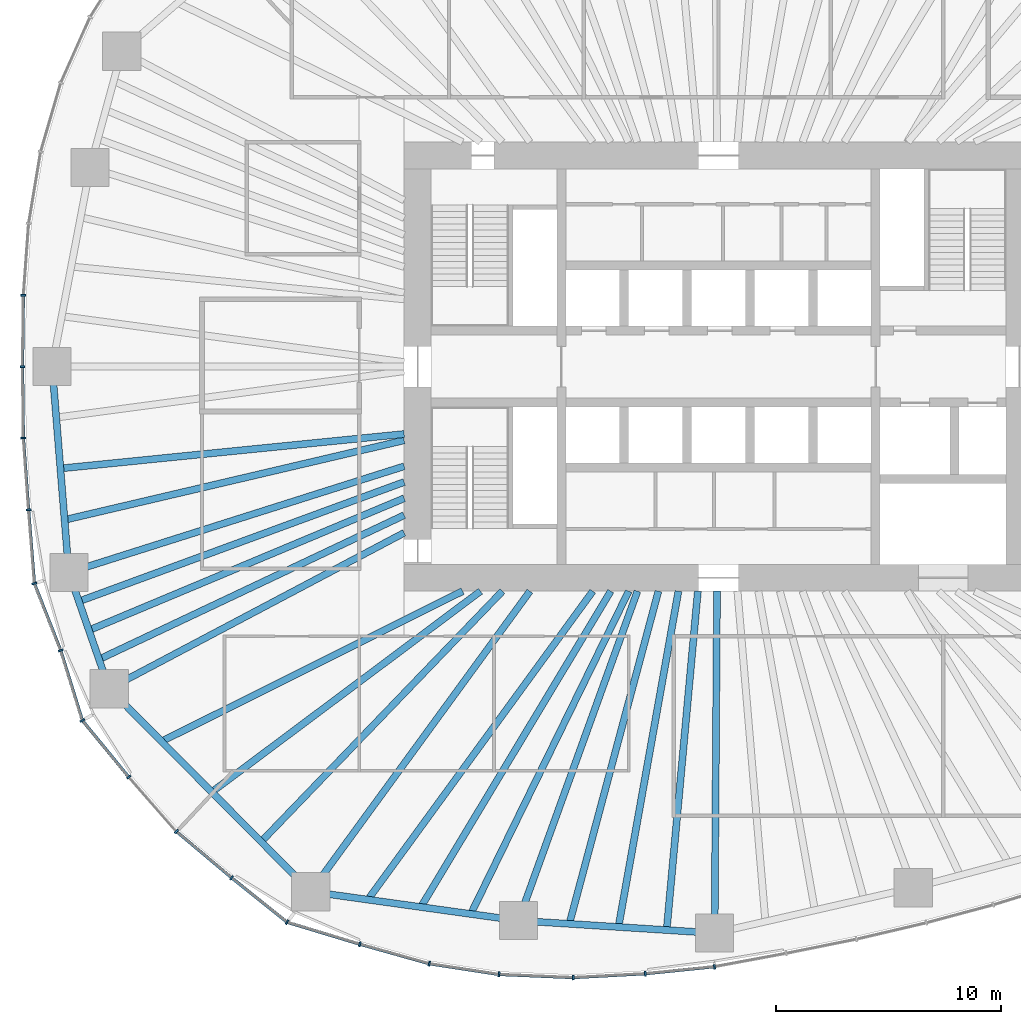
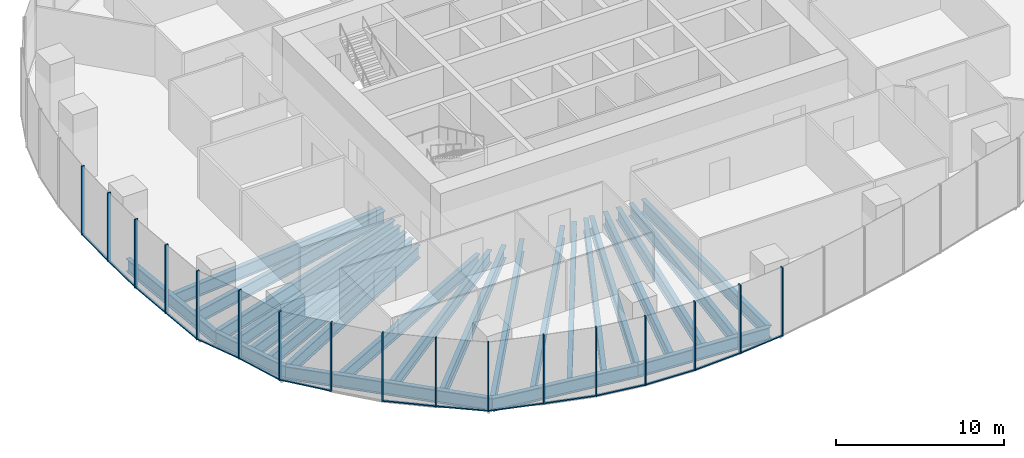
# One storey, part 2 of 20: 32 members, 24 beams, 7 elements without a shape of their own.
"""IFC4 building model written with IfcOpenShell, lengths in metres."""

import ifcopenshell
import ifcopenshell.guid

model = None  # the IFC model being written
_history = None  # IfcOwnerHistory: only IFC2X3 demands one
_inside = {}  # id of a spatial element -> (the spatial element, [elements in it])
_under = {}  # id of a project, library or spatial element -> (it, [spatial elements below it])
_declared = {}  # id of a project -> (the project, [libraries it declares])
_typed = {}  # id of a type object -> (the type object, [elements of that type])
_made_of = {}  # id of a material, layer set ... -> (it, [elements and type objects made of it])


def new_model(schema):
    """Start an empty IFC model of exactly this schema.

    Asked for "IFC4X3", IfcOpenShell would pick the latest addendum, in which some entities
    have other attributes; the version numbers below select the first issue.
    IFC2X3 requires an IfcOwnerHistory on every rooted entity: one is made here for all.
    """
    global model, _history
    if schema == "IFC4X3":
        model = ifcopenshell.file(schema_version=(4, 3, 0, 0))
    else:
        model = ifcopenshell.file(schema=schema)
    _inside.clear()
    _under.clear()
    _declared.clear()
    _typed.clear()
    _made_of.clear()
    _history = None
    if model.schema == "IFC2X3":
        org = make("IfcOrganization", Name="unknown")
        user = make(
            "IfcPersonAndOrganization",
            ThePerson=make("IfcPerson", FamilyName="unknown"),
            TheOrganization=org,
        )
        app = make(
            "IfcApplication",
            ApplicationDeveloper=org,
            Version="unknown",
            ApplicationFullName="unknown",
            ApplicationIdentifier="unknown",
        )
        _history = make(
            "IfcOwnerHistory",
            OwningUser=user,
            OwningApplication=app,
            ChangeAction="ADDED",
            CreationDate=0,
        )
    return model


def make(cls, **values):
    """One entity of the class cls with the attributes given. An attribute that is None is left unset."""
    return model.create_entity(
        cls, **{name: value for name, value in values.items() if value is not None}
    )


def rooted(cls, **values):
    """An entity with a GlobalId (a new one), such as an element, a storey or a relation."""
    return make(cls, GlobalId=ifcopenshell.guid.new(), OwnerHistory=_history, **values)


def si_unit(unit_type, name, prefix=None):
    """IfcSIUnit, for example si_unit("LENGTHUNIT", "METRE", prefix="MILLI")."""
    return make("IfcSIUnit", UnitType=unit_type, Prefix=prefix, Name=name)


def assignment(units):
    """IfcUnitAssignment: the units of a project."""
    return None if units is None else make("IfcUnitAssignment", Units=units)


def point(xyz):
    """IfcCartesianPoint."""
    return None if xyz is None else make("IfcCartesianPoint", Coordinates=xyz)


def direction(xyz):
    """IfcDirection."""
    return None if xyz is None else make("IfcDirection", DirectionRatios=xyz)


def frame(location, z_axis=None, x_axis=None):
    """IfcAxis2Placement3D, a coordinate frame: its origin and axes. An axis left out is left unset."""
    return make(
        "IfcAxis2Placement3D",
        Location=point(location),
        Axis=direction(z_axis),
        RefDirection=direction(x_axis),
    )


def frame_2d(location, x_axis=None):
    """IfcAxis2Placement2D, a coordinate frame in the plane: its origin and x axis."""
    return make(
        "IfcAxis2Placement2D", Location=point(location), RefDirection=direction(x_axis)
    )


def origin():
    """The frame at (0, 0, 0) with its axes left unset."""
    return frame((0.0, 0.0, 0.0))


def origin_2d():
    """The frame at (0, 0) in the plane with its x axis left unset."""
    return frame_2d((0.0, 0.0))


def place(relative_to, where):
    """IfcLocalPlacement: puts the frame where relative to a parent placement (None: the world)."""
    return make(
        "IfcLocalPlacement", PlacementRelTo=relative_to, RelativePlacement=where
    )


def context(
    kind, dimensions, precision=None, world=None, true_north=None, identifier=None
):
    """IfcGeometricRepresentationContext, for example the 3D "Model" context."""
    return make(
        "IfcGeometricRepresentationContext",
        ContextIdentifier=identifier,
        ContextType=kind,
        CoordinateSpaceDimension=dimensions,
        Precision=precision,
        WorldCoordinateSystem=world,
        TrueNorth=true_north,
    )


def subcontext(parent, identifier, kind, view, scale=None):
    """IfcGeometricRepresentationSubContext, for example "Body" below "Model"."""
    return make(
        "IfcGeometricRepresentationSubContext",
        ContextIdentifier=identifier,
        ContextType=kind,
        ParentContext=parent,
        TargetScale=scale,
        TargetView=view,
    )


def project(units=None, contexts=None):
    """IfcProject with its units and contexts."""
    return rooted(
        "IfcProject",
        Name="project",
        RepresentationContexts=contexts,
        UnitsInContext=assignment(units),
    )


def spatial(cls, under=None, at=None, **own):
    """A site, building, storey or space (cls), placed at a placement, below another one or the project."""
    s = rooted(cls, ObjectPlacement=at, **own)
    if under is not None:
        _under.setdefault(under.id(), (under, []))[1].append(s)
    return s


def profile(cls, at=None, kind="AREA", **sizes):
    """A parametric profile (cls). Its sizes go by their IFC names, for example OverallWidth=200.0."""
    return make(cls, ProfileType=kind, Position=at, **sizes)


def rectangle(**sizes):
    """IfcRectangleProfileDef."""
    return profile("IfcRectangleProfileDef", **sizes)


def i_section(**sizes):
    """IfcIShapeProfileDef."""
    return profile("IfcIShapeProfileDef", **sizes)


def extrude(swept, where, along, depth):
    """IfcExtrudedAreaSolid: the profile swept, set in the frame where, extruded along a direction by depth."""
    return make(
        "IfcExtrudedAreaSolid",
        SweptArea=swept,
        Position=where,
        ExtrudedDirection=direction(along),
        Depth=depth,
    )


def shape(context_of_items, identifier, shape_type, items):
    """IfcShapeRepresentation: the items that make up one representation, for example the "Body"."""
    return make(
        "IfcShapeRepresentation",
        ContextOfItems=context_of_items,
        RepresentationIdentifier=identifier,
        RepresentationType=shape_type,
        Items=items,
    )


def material(Name=None, Category=None):
    """IfcMaterial."""
    return make("IfcMaterial", Name=Name, Category=Category)


def material_profile(
    of_material, cross_section, Name=None, Category=None, Priority=None
):
    """IfcMaterialProfile: a cross section and its material."""
    return make(
        "IfcMaterialProfile",
        Name=Name,
        Material=of_material,
        Profile=cross_section,
        Priority=Priority,
        Category=Category,
    )


def profile_set(profiles, Name=None, composite=None):
    """IfcMaterialProfileSet."""
    return make(
        "IfcMaterialProfileSet",
        Name=Name,
        MaterialProfiles=profiles,
        CompositeProfile=composite,
    )


def made_of(thing, what):
    """Note that an element or type object is made of a material, layer set ...; save() writes the relation."""
    if what is not None:
        _made_of.setdefault(what.id(), (what, []))[1].append(thing)
    return thing


def type_object(cls, material=None, **own):
    """A type object (cls), such as IfcWallType, which elements share."""
    return made_of(rooted(cls, **own), material)


def element(
    cls,
    number,
    at=None,
    inside=None,
    cuts=None,
    type_object=None,
    material=None,
    context=None,
    identifier="Body",
    shape_type=None,
    held_by="IfcProductDefinitionShape",
    body=None,
    shapes=None,
    **own,
):
    """One element of the class cls, such as IfcWall. Its Tag is "e" and its number.

    at: its placement. inside: the storey or other place that contains it. cuts: it is an
    opening in that element (IfcRelVoidsElement). A single representation is given by context,
    identifier, shape_type and body (its items); several are given by shapes. held_by: the class
    of the entity that holds the representations. save() writes the other relations.
    """
    e = rooted(cls, Tag="e%d" % number, ObjectPlacement=at, **own)
    if body is not None:
        shapes = [shape(context, identifier, shape_type, body)]
    if shapes is not None:
        e.Representation = make(held_by, Representations=shapes)
    if inside is not None:
        _inside.setdefault(inside.id(), (inside, []))[1].append(e)
    if cuts is not None:
        rooted(
            "IfcRelVoidsElement", RelatingBuildingElement=cuts, RelatedOpeningElement=e
        )
    if type_object is not None:
        _typed.setdefault(type_object.id(), (type_object, []))[1].append(e)
    return made_of(e, material)


def aggregate(whole, parts):
    """IfcRelAggregates: a whole, such as a stair, and the parts it consists of."""
    return rooted("IfcRelAggregates", RelatingObject=whole, RelatedObjects=parts)


def save(model, path):
    """Write the relations noted so far, then the file.

    IfcRelAggregates (storeys below a building ...), IfcRelContainedInSpatialStructure (elements
    in a storey), IfcRelDefinesByType, IfcRelAssociatesMaterial and IfcRelDeclares: one each for
    every whole, place, type object, material and project.
    """
    for whole, parts in _under.values():
        aggregate(whole, parts)
    for where, things in _inside.values():
        rooted(
            "IfcRelContainedInSpatialStructure",
            RelatedElements=things,
            RelatingStructure=where,
        )
    for kind, things in _typed.values():
        rooted("IfcRelDefinesByType", RelatedObjects=things, RelatingType=kind)
    for what, things in _made_of.values():
        rooted("IfcRelAssociatesMaterial", RelatedObjects=things, RelatingMaterial=what)
    for by, libraries in _declared.values():
        rooted("IfcRelDeclares", RelatingContext=by, RelatedDefinitions=libraries)
    model.write(path)


model = new_model("IFC4")

# Units and contexts
model_context = context("Model", 3, precision=1e-05, world=origin(), true_north=direction((0.0, 1.0)))
body_context = subcontext(model_context, "Body", "Model", "MODEL_VIEW")
ifc_project = project(units=[si_unit("LENGTHUNIT", "METRE"), si_unit("AREAUNIT", "SQUARE_METRE"), si_unit("VOLUMEUNIT", "CUBIC_METRE"), si_unit("PLANEANGLEUNIT", "RADIAN"), si_unit("MASSUNIT", "GRAM", prefix="KILO")], contexts=[model_context])

# Site, building, storey
site_placement = place(None, origin())
site = spatial("IfcSite", under=ifc_project, at=site_placement, CompositionType="ELEMENT")
building_placement = place(site_placement, origin())
building = spatial("IfcBuilding", under=site, at=building_placement, Name="Ghaith Harvest Tower", CompositionType="ELEMENT")
storey_placement = place(building_placement, frame((0.0, 0.0, 90.0)))
storey = spatial("IfcBuildingStorey", under=building, at=storey_placement, Name="L18", CompositionType="ELEMENT", Elevation=90.0)

# Curtain wall, member
ifc_material_1 = material(Name="Black anodised aluminium and fritted glass", Category="aluminium")
curtain_wall_type = type_object("IfcCurtainWallType", Name="CW-F CURTAIN WALL", PredefinedType="NOTDEFINED", material=ifc_material_1)
curtain_wall_1_placement = place(storey_placement, origin())
curtain_wall_1 = element("IfcCurtainWall", 1, at=curtain_wall_1_placement, inside=storey, type_object=curtain_wall_type, Name="Curtain wall CW-F bay 10 L18", PredefinedType="NOTDEFINED")
ifc_material_2 = material(Name="Aluminium, black anodised", Category="aluminium")
ifc_material_profile_1 = material_profile(ifc_material_2, rectangle(XDim=0.080078125, YDim=0.219970703125, at=origin_2d()), Name="CW-F MULLION 80x220")
ifc_profile_set_1 = profile_set([ifc_material_profile_1], Name="Aluminium, black anodised")
member_type_1 = type_object("IfcMemberType", Name="CW-F MULLION 80x220", PredefinedType="MULLION", material=ifc_profile_set_1)
member_1_placement = place(storey_placement, frame((-30.95654296875, 3.177978515625, 0.0), z_axis=(0.0, 0.0, 1.0), x_axis=(-0.042427007767, -0.999099569118, 0.0)))
member_1 = element("IfcMember", 2, at=member_1_placement, type_object=member_type_1, Name="CW-F mullion 3 bay 10 L18", PredefinedType="MULLION", context=body_context, shape_type="SweptSolid", body=[
    extrude(rectangle(XDim=0.080078125, YDim=0.219970703125, at=origin_2d()), origin(), (0.0, 0.0, 1.0), 5.0),
])

# Curtain wall, members
curtain_wall_2_placement = place(storey_placement, origin())
curtain_wall_2 = element("IfcCurtainWall", 3, at=curtain_wall_2_placement, inside=storey, type_object=curtain_wall_type, Name="Curtain wall CW-F bay 11 L18", PredefinedType="NOTDEFINED")
member_2_placement = place(storey_placement, frame((-30.9951171875, 0.0, 0.0), z_axis=(0.0, 0.0, 1.0), x_axis=(1.4e-10, -1.0, 0.0)))
member_2 = element("IfcMember", 4, at=member_2_placement, type_object=member_type_1, Name="CW-F mullion 1 bay 11 L18", PredefinedType="MULLION", context=body_context, shape_type="SweptSolid", body=[
    extrude(rectangle(XDim=0.080078125, YDim=0.219970703125, at=origin_2d()), origin(), (0.0, 0.0, 1.0), 5.0),
])
member_3_placement = place(storey_placement, frame((-30.95654296875, -3.177978515625, 0.0), z_axis=(0.0, 0.0, 1.0), x_axis=(0.042427007872, -0.999099569114, 0.0)))
member_3 = element("IfcMember", 5, at=member_3_placement, type_object=member_type_1, Name="CW-F mullion 2 bay 11 L18", PredefinedType="MULLION", context=body_context, shape_type="SweptSolid", body=[
    extrude(rectangle(XDim=0.080078125, YDim=0.219970703125, at=origin_2d()), origin(), (0.0, 0.0, 1.0), 5.0),
])
member_4_placement = place(storey_placement, frame((-30.724365234375, -6.37548828125, 0.0), z_axis=(0.0, 0.0, 1.0), x_axis=(0.07568573288, -0.997131721408, 0.0)))
member_4 = element("IfcMember", 6, at=member_4_placement, type_object=member_type_1, Name="CW-F mullion 3 bay 11 L18", PredefinedType="MULLION", context=body_context, shape_type="SweptSolid", body=[
    extrude(rectangle(XDim=0.080078125, YDim=0.219970703125, at=origin_2d()), origin(), (0.0, 0.0, 1.0), 5.0),
])

curtain_wall_3_placement = place(storey_placement, origin())
curtain_wall_3 = element("IfcCurtainWall", 7, at=curtain_wall_3_placement, inside=storey, type_object=curtain_wall_type, Name="Curtain wall CW-F bay 12 L18", PredefinedType="NOTDEFINED")
member_5_placement = place(storey_placement, frame((-30.46484375, -9.65478515625, 0.0), z_axis=(0.0, 0.0, 1.0), x_axis=(0.222967363441, -0.974825910017, 0.0)))
member_5 = element("IfcMember", 8, at=member_5_placement, type_object=member_type_1, Name="CW-F mullion 1 bay 12 L18", PredefinedType="MULLION", context=body_context, shape_type="SweptSolid", body=[
    extrude(rectangle(XDim=0.080078125, YDim=0.219970703125, at=origin_2d()), origin(), (0.0, 0.0, 1.0), 5.0),
])
member_6_placement = place(storey_placement, frame((-29.29248046875, -12.63525390625, 0.0), z_axis=(0.0, 0.0, 1.0), x_axis=(0.330700518925, -0.943735750506, 0.0)))
member_6 = element("IfcMember", 9, at=member_6_placement, type_object=member_type_1, Name="CW-F mullion 2 bay 12 L18", PredefinedType="MULLION", context=body_context, shape_type="SweptSolid", body=[
    extrude(rectangle(XDim=0.080078125, YDim=0.219970703125, at=origin_2d()), origin(), (0.0, 0.0, 1.0), 5.0),
])
member_7_placement = place(storey_placement, frame((-28.3271484375, -15.7548828125, 0.0), z_axis=(0.0, 0.0, 1.0), x_axis=(0.473265082527, -0.880920065421, 0.0)))
member_7 = element("IfcMember", 10, at=member_7_placement, type_object=member_type_1, Name="CW-F mullion 3 bay 12 L18", PredefinedType="MULLION", context=body_context, shape_type="SweptSolid", body=[
    extrude(rectangle(XDim=0.080078125, YDim=0.219970703125, at=origin_2d()), origin(), (0.0, 0.0, 1.0), 5.0),
])

curtain_wall_4_placement = place(storey_placement, origin())
curtain_wall_4 = element("IfcCurtainWall", 11, at=curtain_wall_4_placement, inside=storey, type_object=curtain_wall_type, Name="Curtain wall CW-F bay 13 L18", PredefinedType="NOTDEFINED")
member_8_placement = place(storey_placement, frame((-26.26318359375, -18.274169921875, 0.0), z_axis=(0.0, 0.0, 1.0), x_axis=(0.646523538748, -0.762894038412, 0.0)))
member_8 = element("IfcMember", 12, at=member_8_placement, type_object=member_type_1, Name="CW-F mullion 1 bay 13 L18", PredefinedType="MULLION", context=body_context, shape_type="SweptSolid", body=[
    extrude(rectangle(XDim=0.080078125, YDim=0.219970703125, at=origin_2d()), origin(), (0.0, 0.0, 1.0), 5.0),
])
member_9_placement = place(storey_placement, frame((-24.139404296875, -20.696533203125, 0.0), z_axis=(0.0, 0.0, 1.0), x_axis=(0.714663248554, -0.699468684907, 0.0)))
member_9 = element("IfcMember", 13, at=member_9_placement, type_object=member_type_1, Name="CW-F mullion 2 bay 13 L18", PredefinedType="MULLION", context=body_context, shape_type="SweptSolid", body=[
    extrude(rectangle(XDim=0.080078125, YDim=0.219970703125, at=origin_2d()), origin(), (0.0, 0.0, 1.0), 5.0),
])
member_10_placement = place(storey_placement, frame((-21.681640625, -22.758056640625, 0.0), z_axis=(0.0, 0.0, 1.0), x_axis=(0.773138721505, -0.634236956751, 0.0)))
member_10 = element("IfcMember", 14, at=member_10_placement, type_object=member_type_1, Name="CW-F mullion 3 bay 13 L18", PredefinedType="MULLION", context=body_context, shape_type="SweptSolid", body=[
    extrude(rectangle(XDim=0.080078125, YDim=0.219970703125, at=origin_2d()), origin(), (0.0, 0.0, 1.0), 5.0),
])

curtain_wall_5_placement = place(storey_placement, origin())
curtain_wall_5 = element("IfcCurtainWall", 15, at=curtain_wall_5_placement, inside=storey, type_object=curtain_wall_type, Name="Curtain wall CW-F bay 14 L18", PredefinedType="NOTDEFINED")
member_11_placement = place(storey_placement, frame((-19.212646484375, -24.73828125, 0.0), z_axis=(0.0, 0.0, 1.0), x_axis=(0.887912253774, -0.460012858079, 0.0)))
member_11 = element("IfcMember", 16, at=member_11_placement, type_object=member_type_1, Name="CW-F mullion 1 bay 14 L18", PredefinedType="MULLION", context=body_context, shape_type="SweptSolid", body=[
    extrude(rectangle(XDim=0.080078125, YDim=0.219970703125, at=origin_2d()), origin(), (0.0, 0.0, 1.0), 5.0),
])
member_12_placement = place(storey_placement, frame((-15.97119140625, -25.716552734375, 0.0), z_axis=(0.0, 0.0, 1.0), x_axis=(0.960008876539, -0.279969564356, 0.0)))
member_12 = element("IfcMember", 17, at=member_12_placement, type_object=member_type_1, Name="CW-F mullion 2 bay 14 L18", PredefinedType="MULLION", context=body_context, shape_type="SweptSolid", body=[
    extrude(rectangle(XDim=0.080078125, YDim=0.219970703125, at=origin_2d()), origin(), (0.0, 0.0, 1.0), 5.0),
])
member_13_placement = place(storey_placement, frame((-12.880615234375, -26.5849609375, 0.0), z_axis=(0.0, 0.0, 1.0), x_axis=(0.977207016024, -0.212288595628, 0.0)))
member_13 = element("IfcMember", 18, at=member_13_placement, type_object=member_type_1, Name="CW-F mullion 3 bay 14 L18", PredefinedType="MULLION", context=body_context, shape_type="SweptSolid", body=[
    extrude(rectangle(XDim=0.080078125, YDim=0.219970703125, at=origin_2d()), origin(), (0.0, 0.0, 1.0), 5.0),
])

curtain_wall_6_placement = place(storey_placement, origin())
curtain_wall_6 = element("IfcCurtainWall", 19, at=curtain_wall_6_placement, inside=storey, type_object=curtain_wall_type, Name="Curtain wall CW-F bay 15 L18", PredefinedType="NOTDEFINED")
member_14_placement = place(storey_placement, frame((-9.7744140625, -27.062744140625, 0.0), z_axis=(0.0, 0.0, 1.0), x_axis=(0.995408459417, -0.095718331168, 0.0)))
member_14 = element("IfcMember", 20, at=member_14_placement, type_object=member_type_1, Name="CW-F mullion 1 bay 15 L18", PredefinedType="MULLION", context=body_context, shape_type="SweptSolid", body=[
    extrude(rectangle(XDim=0.080078125, YDim=0.219970703125, at=origin_2d()), origin(), (0.0, 0.0, 1.0), 5.0),
])
member_15_placement = place(storey_placement, frame((-6.465087890625, -27.20166015625, 0.0), z_axis=(0.0, 0.0, 1.0), x_axis=(0.999987206373, 0.005058368251, 0.0)))
member_15 = element("IfcMember", 21, at=member_15_placement, type_object=member_type_1, Name="CW-F mullion 2 bay 15 L18", PredefinedType="MULLION", context=body_context, shape_type="SweptSolid", body=[
    extrude(rectangle(XDim=0.080078125, YDim=0.219970703125, at=origin_2d()), origin(), (0.0, 0.0, 1.0), 5.0),
])
member_16_placement = place(storey_placement, frame((-3.261962890625, -27.02978515625, 0.0), z_axis=(0.0, 0.0, 1.0), x_axis=(0.997037536276, 0.07691652135, 0.0)))
member_16 = element("IfcMember", 22, at=member_16_placement, type_object=member_type_1, Name="CW-F mullion 3 bay 15 L18", PredefinedType="MULLION", context=body_context, shape_type="SweptSolid", body=[
    extrude(rectangle(XDim=0.080078125, YDim=0.219970703125, at=origin_2d()), origin(), (0.0, 0.0, 1.0), 5.0),
])

# Curtain wall, member
curtain_wall_7_placement = place(storey_placement, origin())
curtain_wall_7 = element("IfcCurtainWall", 23, at=curtain_wall_7_placement, inside=storey, type_object=curtain_wall_type, Name="Curtain wall CW-F bay 16 L18", PredefinedType="NOTDEFINED")
member_17_placement = place(storey_placement, frame((-0.182861328125, -26.717041015625, 0.0), z_axis=(0.0, 0.0, 1.0), x_axis=(0.98971187144, 0.143074845907, 0.0)))
member_17 = element("IfcMember", 24, at=member_17_placement, type_object=member_type_1, Name="CW-F mullion 1 bay 16 L18", PredefinedType="MULLION", context=body_context, shape_type="SweptSolid", body=[
    extrude(rectangle(XDim=0.080078125, YDim=0.219970703125, at=origin_2d()), origin(), (0.0, 0.0, 1.0), 5.0),
])
aggregate(curtain_wall_7, [member_17])

# Member
ifc_material_3 = material(Name="Aluminium, black anodised", Category="aluminium")
ifc_material_profile_2 = material_profile(ifc_material_3, rectangle(XDim=0.139892578125, YDim=0.080078125, at=origin_2d()), Name="CW-F TRANSOM 140x80")
ifc_profile_set_2 = profile_set([ifc_material_profile_2], Name="Aluminium, black anodised")
member_type_2 = type_object("IfcMemberType", Name="CW-F TRANSOM 140x80", PredefinedType="USERDEFINED", material=ifc_profile_set_2)
member_18_placement = place(storey_placement, frame((-30.95703125, 3.137939453125, 0.0400390625), z_axis=(-0.012135602457, -0.999926360865, 0.0), x_axis=(0.999926360865, -0.012135602457, 0.0)))
member_18 = element("IfcMember", 25, at=member_18_placement, type_object=member_type_2, Name="CW-F transom 3 bay 10 L18", ObjectType="TRANSOM", PredefinedType="USERDEFINED", context=body_context, shape_type="SweptSolid", body=[
    extrude(rectangle(XDim=0.139892578125, YDim=0.080078125, at=origin_2d()), origin(), (0.0, 0.0, 1.0), 3.09814453125),
])

aggregate(curtain_wall_1, [member_1, member_18])

member_19_placement = place(storey_placement, frame((-30.99462890625, -0.0400390625, 0.0400390625), z_axis=(0.012135602457, -0.999926360865, 0.0), x_axis=(0.999926360865, 0.012135602457, 0.0)))
member_19 = element("IfcMember", 26, at=member_19_placement, type_object=member_type_2, Name="CW-F transom 1 bay 11 L18", ObjectType="TRANSOM", PredefinedType="USERDEFINED", context=body_context, shape_type="SweptSolid", body=[
    extrude(rectangle(XDim=0.139892578125, YDim=0.080078125, at=origin_2d()), origin(), (0.0, 0.0, 1.0), 3.09814453125),
])

member_20_placement = place(storey_placement, frame((-30.95361328125, -3.2177734375, 0.0400390625), z_axis=(0.072473547161, -0.997370334912, 0.0), x_axis=(0.997370334912, 0.072473547161, 0.0)))
member_20 = element("IfcMember", 27, at=member_20_placement, type_object=member_type_2, Name="CW-F transom 2 bay 11 L18", ObjectType="TRANSOM", PredefinedType="USERDEFINED", context=body_context, shape_type="SweptSolid", body=[
    extrude(rectangle(XDim=0.139892578125, YDim=0.080078125, at=origin_2d()), origin(), (0.0, 0.0, 1.0), 3.126220703125),
])

member_21_placement = place(storey_placement, frame((-30.72119140625, -6.415283203125, 0.0400390625), z_axis=(0.078877539502, -0.996884313129, 0.0), x_axis=(0.996884313129, 0.078877539502, 0.0)))
member_21 = element("IfcMember", 28, at=member_21_placement, type_object=member_type_2, Name="CW-F transom 3 bay 11 L18", ObjectType="TRANSOM", PredefinedType="USERDEFINED", context=body_context, shape_type="SweptSolid", body=[
    extrude(rectangle(XDim=0.139892578125, YDim=0.080078125, at=origin_2d()), origin(), (0.0, 0.0, 1.0), 3.209716796875),
])

aggregate(curtain_wall_2, [member_2, member_19, member_3, member_20, member_4, member_21])

member_22_placement = place(storey_placement, frame((-30.4501953125, -9.692138671875, 0.0400390625), z_axis=(0.366046617161, -0.93059651518, 0.0), x_axis=(0.93059651518, 0.366046617161, 0.0)))
member_22 = element("IfcMember", 29, at=member_22_placement, type_object=member_type_2, Name="CW-F transom 1 bay 12 L18", ObjectType="TRANSOM", PredefinedType="USERDEFINED", context=body_context, shape_type="SweptSolid", body=[
    extrude(rectangle(XDim=0.139892578125, YDim=0.080078125, at=origin_2d()), origin(), (0.0, 0.0, 1.0), 3.122802734375),
])

member_23_placement = place(storey_placement, frame((-29.28076171875, -12.673583984375, 0.0400390625), z_axis=(0.295598800908, -0.955312173534, 0.0), x_axis=(0.955312173534, 0.295598800908, 0.0)))
member_23 = element("IfcMember", 30, at=member_23_placement, type_object=member_type_2, Name="CW-F transom 2 bay 12 L18", ObjectType="TRANSOM", PredefinedType="USERDEFINED", context=body_context, shape_type="SweptSolid", body=[
    extrude(rectangle(XDim=0.139892578125, YDim=0.080078125, at=origin_2d()), origin(), (0.0, 0.0, 1.0), 3.185546875),
])

member_24_placement = place(storey_placement, frame((-28.302001953125, -15.785888671875, 0.0400390625), z_axis=(0.633790042943, -0.773505126982, 0.0), x_axis=(0.773505126982, 0.633790042943, 0.0)))
member_24 = element("IfcMember", 31, at=member_24_placement, type_object=member_type_2, Name="CW-F transom 3 bay 12 L18", ObjectType="TRANSOM", PredefinedType="USERDEFINED", context=body_context, shape_type="SweptSolid", body=[
    extrude(rectangle(XDim=0.139892578125, YDim=0.080078125, at=origin_2d()), origin(), (0.0, 0.0, 1.0), 3.1767578125),
])

aggregate(curtain_wall_3, [member_5, member_22, member_6, member_23, member_7, member_24])

member_25_placement = place(storey_placement, frame((-24.10888671875, -20.72216796875, 0.0400390625), z_axis=(0.766144434184, -0.642668426149, 0.0), x_axis=(0.642668426149, 0.766144434184, 0.0)))
member_25 = element("IfcMember", 32, at=member_25_placement, type_object=member_type_2, Name="CW-F transom 2 bay 13 L18", ObjectType="TRANSOM", PredefinedType="USERDEFINED", context=body_context, shape_type="SweptSolid", body=[
    extrude(rectangle(XDim=0.139892578125, YDim=0.080078125, at=origin_2d()), origin(), (0.0, 0.0, 1.0), 3.1279296875),
])

member_26_placement = place(storey_placement, frame((-21.650634765625, -22.783203125, 0.0400390625), z_axis=(0.780181223133, -0.625553562112, 0.0), x_axis=(0.625553562112, 0.780181223133, 0.0)))
member_26 = element("IfcMember", 33, at=member_26_placement, type_object=member_type_2, Name="CW-F transom 3 bay 13 L18", ObjectType="TRANSOM", PredefinedType="USERDEFINED", context=body_context, shape_type="SweptSolid", body=[
    extrude(rectangle(XDim=0.139892578125, YDim=0.080078125, at=origin_2d()), origin(), (0.0, 0.0, 1.0), 3.085205078125),
])

aggregate(curtain_wall_4, [member_8, member_9, member_25, member_10, member_26])

member_27_placement = place(storey_placement, frame((-19.17431640625, -24.749755859375, 0.0400390625), z_axis=(0.957335035376, -0.288980328121, 0.0), x_axis=(0.288980328121, 0.957335035376, 0.0)))
member_27 = element("IfcMember", 34, at=member_27_placement, type_object=member_type_2, Name="CW-F transom 1 bay 14 L18", ObjectType="TRANSOM", PredefinedType="USERDEFINED", context=body_context, shape_type="SweptSolid", body=[
    extrude(rectangle(XDim=0.139892578125, YDim=0.080078125, at=origin_2d()), origin(), (0.0, 0.0, 1.0), 3.305908203125),
])

member_28_placement = place(storey_placement, frame((-15.9326171875, -25.727294921875, 0.0400390625), z_axis=(0.962727128991, -0.270474536888, 0.0), x_axis=(0.270474536888, 0.962727128991, 0.0)))
member_28 = element("IfcMember", 35, at=member_28_placement, type_object=member_type_2, Name="CW-F transom 2 bay 14 L18", ObjectType="TRANSOM", PredefinedType="USERDEFINED", context=body_context, shape_type="SweptSolid", body=[
    extrude(rectangle(XDim=0.139892578125, YDim=0.080078125, at=origin_2d()), origin(), (0.0, 0.0, 1.0), 3.13037109375),
])

member_29_placement = place(storey_placement, frame((-12.841064453125, -26.591064453125, 0.0400390625), z_axis=(0.988378147633, -0.152015253451, 0.0), x_axis=(0.152015253451, 0.988378147633, 0.0)))
member_29 = element("IfcMember", 36, at=member_29_placement, type_object=member_type_2, Name="CW-F transom 3 bay 14 L18", ObjectType="TRANSOM", PredefinedType="USERDEFINED", context=body_context, shape_type="SweptSolid", body=[
    extrude(rectangle(XDim=0.139892578125, YDim=0.080078125, at=origin_2d()), origin(), (0.0, 0.0, 1.0), 3.062744140625),
])

aggregate(curtain_wall_5, [member_11, member_27, member_12, member_28, member_13, member_29])

member_30_placement = place(storey_placement, frame((-9.734375, -27.064453125, 0.0400390625), z_axis=(0.999117688764, -0.04199814281, 0.0), x_axis=(0.04199814281, 0.999117688764, 0.0)))
member_30 = element("IfcMember", 37, at=member_30_placement, type_object=member_type_2, Name="CW-F transom 1 bay 15 L18", ObjectType="TRANSOM", PredefinedType="USERDEFINED", context=body_context, shape_type="SweptSolid", body=[
    extrude(rectangle(XDim=0.139892578125, YDim=0.080078125, at=origin_2d()), origin(), (0.0, 0.0, 1.0), 3.232177734375),
])

member_31_placement = place(storey_placement, frame((-6.42529296875, -27.19970703125, 0.0400390625), z_axis=(0.99856142387, 0.053619798202, 0.0), x_axis=(-0.053619798202, 0.99856142387, 0.0)))
member_31 = element("IfcMember", 38, at=member_31_placement, type_object=member_type_2, Name="CW-F transom 2 bay 15 L18", ObjectType="TRANSOM", PredefinedType="USERDEFINED", context=body_context, shape_type="SweptSolid", body=[
    extrude(rectangle(XDim=0.139892578125, YDim=0.080078125, at=origin_2d()), origin(), (0.0, 0.0, 1.0), 3.1279296875),
])

member_32_placement = place(storey_placement, frame((-3.22216796875, -27.02587890625, 0.0400390625), z_axis=(0.994880435036, 0.101058992587, 0.0), x_axis=(-0.101058992587, 0.994880435036, 0.0)))
member_32 = element("IfcMember", 39, at=member_32_placement, type_object=member_type_2, Name="CW-F transom 3 bay 15 L18", ObjectType="TRANSOM", PredefinedType="USERDEFINED", context=body_context, shape_type="SweptSolid", body=[
    extrude(rectangle(XDim=0.139892578125, YDim=0.080078125, at=origin_2d()), origin(), (0.0, 0.0, 1.0), 3.014892578125),
])

aggregate(curtain_wall_6, [member_14, member_30, member_15, member_31, member_16, member_32])

# Beams
ifc_material_4 = material(Name="Steel ASTM A992 Grade 50", Category="steel")
ifc_material_profile_3 = material_profile(ifc_material_4, i_section(OverallWidth=0.306884765625, OverallDepth=0.94189453125, WebThickness=0.022216796875, FlangeThickness=0.039794921875, at=origin_2d()), Name="W920X345")
ifc_profile_set_3 = profile_set([ifc_material_profile_3], Name="Steel ASTM A992 Grade 50")
beam_type_1 = type_object("IfcBeamType", Name="E920-345 W920X345", PredefinedType="SPANDREL", material=ifc_profile_set_3)
beam_1_placement = place(storey_placement, frame((-29.675048828125, 0.0, -0.6708984375), z_axis=(0.081006863421, -0.996713543642, 0.0), x_axis=(0.996713543642, 0.081006863421, 0.0)))
element("IfcBeam", 40, at=beam_1_placement, inside=storey, type_object=beam_type_1, Name="Edge beam E11 L18", PredefinedType="SPANDREL", context=body_context, shape_type="SweptSolid", body=[
    extrude(i_section(OverallWidth=0.306884765625, OverallDepth=0.94189453125, WebThickness=0.022216796875, FlangeThickness=0.039794921875, at=origin_2d()), origin(), (0.0, 0.0, 1.0), 9.1982421875),
])
beam_2_placement = place(storey_placement, frame((-28.929931640625, -9.16796875, -0.6708984375), z_axis=(0.328278550319, -0.944580961803, 0.0), x_axis=(0.944580961803, 0.328278550319, 0.0)))
element("IfcBeam", 41, at=beam_2_placement, inside=storey, type_object=beam_type_1, Name="Edge beam E12 L18", PredefinedType="SPANDREL", context=body_context, shape_type="SweptSolid", body=[
    extrude(i_section(OverallWidth=0.306884765625, OverallDepth=0.94189453125, WebThickness=0.022216796875, FlangeThickness=0.039794921875, at=origin_2d()), origin(), (0.0, 0.0, 1.0), 5.4765625),
])
beam_3_placement = place(storey_placement, frame((-27.132080078125, -14.341064453125, -0.6708984375), z_axis=(0.704562513714, -0.709641926798, 0.0), x_axis=(0.709641926798, 0.704562513714, 0.0)))
element("IfcBeam", 42, at=beam_3_placement, inside=storey, type_object=beam_type_1, Name="Edge beam E13 L18", PredefinedType="SPANDREL", context=body_context, shape_type="SweptSolid", body=[
    extrude(i_section(OverallWidth=0.306884765625, OverallDepth=0.94189453125, WebThickness=0.022216796875, FlangeThickness=0.039794921875, at=origin_2d()), origin(), (0.0, 0.0, 1.0), 12.737060546875),
])
beam_4_placement = place(storey_placement, frame((-18.157958984375, -23.3798828125, -0.6708984375), z_axis=(0.990441143901, -0.137936001352, 0.0), x_axis=(0.137936001352, 0.990441143901, 0.0)))
element("IfcBeam", 43, at=beam_4_placement, inside=storey, type_object=beam_type_1, Name="Edge beam E14 L18", PredefinedType="SPANDREL", context=body_context, shape_type="SweptSolid", body=[
    extrude(i_section(OverallWidth=0.306884765625, OverallDepth=0.94189453125, WebThickness=0.022216796875, FlangeThickness=0.039794921875, at=origin_2d()), origin(), (0.0, 0.0, 1.0), 9.33837890625),
])
beam_5_placement = place(storey_placement, frame((-8.908935546875, -24.66796875, -0.6708984375), z_axis=(0.99797963184, -0.063534671101, 0.0), x_axis=(0.063534671101, 0.99797963184, 0.0)))
element("IfcBeam", 44, at=beam_5_placement, inside=storey, type_object=beam_type_1, Name="Edge beam E15 L18", PredefinedType="SPANDREL", context=body_context, shape_type="SweptSolid", body=[
    extrude(i_section(OverallWidth=0.306884765625, OverallDepth=0.94189453125, WebThickness=0.022216796875, FlangeThickness=0.039794921875, at=origin_2d()), origin(), (0.0, 0.0, 1.0), 8.75341796875),
])
ifc_material_5 = material(Name="Steel ASTM A992 Grade 50", Category="steel")
ifc_material_profile_4 = material_profile(ifc_material_5, i_section(OverallWidth=0.306884765625, OverallDepth=0.94189453125, WebThickness=0.022216796875, FlangeThickness=0.039794921875, at=origin_2d()), Name="W920X345")
ifc_profile_set_4 = profile_set([ifc_material_profile_4], Name="Steel ASTM A992 Grade 50")
beam_type_2 = type_object("IfcBeamType", Name="G920-345 W920X345", PredefinedType="BEAM", material=ifc_profile_set_4)
beam_6_placement = place(storey_placement, frame((-14.0, -4.43701171875, -0.6708984375), z_axis=(-0.953284407194, -0.302074227636, 0.0), x_axis=(0.302074227636, -0.953284407194, 0.0)))
element("IfcBeam", 45, at=beam_6_placement, inside=storey, type_object=beam_type_2, Name="Radial girder G12 L18", PredefinedType="BEAM", context=body_context, shape_type="SweptSolid", body=[
    extrude(i_section(OverallWidth=0.306884765625, OverallDepth=0.94189453125, WebThickness=0.022216796875, FlangeThickness=0.039794921875, at=origin_2d()), origin(), (0.0, 0.0, 1.0), 15.66162109375),
])
beam_7_placement = place(storey_placement, frame((-14.0, -7.39990234375, -0.6708984375), z_axis=(-0.884097171481, -0.467303104397, 0.0), x_axis=(0.467303104397, -0.884097171481, 0.0)))
element("IfcBeam", 46, at=beam_7_placement, inside=storey, type_object=beam_type_2, Name="Radial girder G13 L18", PredefinedType="BEAM", context=body_context, shape_type="SweptSolid", body=[
    extrude(i_section(OverallWidth=0.306884765625, OverallDepth=0.94189453125, WebThickness=0.022216796875, FlangeThickness=0.039794921875, at=origin_2d()), origin(), (0.0, 0.0, 1.0), 14.853759765625),
])
beam_8_placement = place(storey_placement, frame((-8.39990234375, -10.0, -0.6708984375), z_axis=(-0.589246749374, -0.807953134997, 0.0), x_axis=(0.807953134997, -0.589246749374, 0.0)))
element("IfcBeam", 47, at=beam_8_placement, inside=storey, type_object=beam_type_2, Name="Radial girder G14 L18", PredefinedType="BEAM", context=body_context, shape_type="SweptSolid", body=[
    extrude(i_section(OverallWidth=0.306884765625, OverallDepth=0.94189453125, WebThickness=0.022216796875, FlangeThickness=0.039794921875, at=origin_2d()), origin(), (0.0, 0.0, 1.0), 16.560302734375),
])
beam_9_placement = place(storey_placement, frame((-3.61181640625, -10.0, -0.6708984375), z_axis=(-0.339664467784, -0.940546675782, 0.0), x_axis=(0.940546675782, -0.339664467784, 0.0)))
element("IfcBeam", 48, at=beam_9_placement, inside=storey, type_object=beam_type_2, Name="Radial girder G15 L18", PredefinedType="BEAM", context=body_context, shape_type="SweptSolid", body=[
    extrude(i_section(OverallWidth=0.306884765625, OverallDepth=0.94189453125, WebThickness=0.022216796875, FlangeThickness=0.039794921875, at=origin_2d()), origin(), (0.0, 0.0, 1.0), 15.59521484375),
])
beam_10_placement = place(storey_placement, frame((-0.068359375, -10.0, -0.6708984375), z_axis=(-0.006879467722, -0.999976336182, 0.0), x_axis=(0.999976336182, -0.006879467722, 0.0)))
element("IfcBeam", 49, at=beam_10_placement, inside=storey, type_object=beam_type_2, Name="Radial girder G16 L18", PredefinedType="BEAM", context=body_context, shape_type="SweptSolid", body=[
    extrude(i_section(OverallWidth=0.306884765625, OverallDepth=0.94189453125, WebThickness=0.022216796875, FlangeThickness=0.039794921875, at=origin_2d()), origin(), (0.0, 0.0, 1.0), 15.224365234375),
])
ifc_material_6 = material(Name="Steel ASTM A992 Grade 50", Category="steel")
ifc_material_profile_5 = material_profile(ifc_material_6, i_section(OverallWidth=0.31005859375, OverallDepth=0.927001953125, WebThickness=0.019287109375, FlangeThickness=0.031982421875, at=origin_2d()), Name="W920X289")
ifc_profile_set_5 = profile_set([ifc_material_profile_5], Name="Steel ASTM A992 Grade 50")
beam_type_3 = type_object("IfcBeamType", Name="J920-289 W920X289", PredefinedType="JOIST", material=ifc_profile_set_5)
beam_11_placement = place(storey_placement, frame((-14.0, -3.0, -0.66357421875), z_axis=(-0.995023982133, -0.099635711366, 0.0), x_axis=(0.099635711366, -0.995023982133, 0.0)))
element("IfcBeam", 50, at=beam_11_placement, inside=storey, type_object=beam_type_3, Name="Joist J11.2 L18", PredefinedType="JOIST", context=body_context, shape_type="SweptSolid", body=[
    extrude(i_section(OverallWidth=0.31005859375, OverallDepth=0.927001953125, WebThickness=0.019287109375, FlangeThickness=0.031982421875, at=origin_2d()), origin(), (0.0, 0.0, 1.0), 15.38330078125),
])
beam_12_placement = place(storey_placement, frame((-14.0, -3.280517578125, -0.66357421875), z_axis=(-0.973622531394, -0.228164778969, 0.0), x_axis=(0.228164778969, -0.973622531394, 0.0)))
element("IfcBeam", 51, at=beam_12_placement, inside=storey, type_object=beam_type_3, Name="Joist J11.3 L18", PredefinedType="JOIST", context=body_context, shape_type="SweptSolid", body=[
    extrude(i_section(OverallWidth=0.31005859375, OverallDepth=0.927001953125, WebThickness=0.019287109375, FlangeThickness=0.031982421875, at=origin_2d()), origin(), (0.0, 0.0, 1.0), 15.5302734375),
])
beam_13_placement = place(storey_placement, frame((-14.0, -5.137939453125, -0.66357421875), z_axis=(-0.938772784742, -0.344536875569, 0.0), x_axis=(0.344536875569, -0.938772784742, 0.0)))
element("IfcBeam", 52, at=beam_13_placement, inside=storey, type_object=beam_type_3, Name="Joist J12.1 L18", PredefinedType="JOIST", context=body_context, shape_type="SweptSolid", body=[
    extrude(i_section(OverallWidth=0.31005859375, OverallDepth=0.927001953125, WebThickness=0.019287109375, FlangeThickness=0.031982421875, at=origin_2d()), origin(), (0.0, 0.0, 1.0), 15.427734375),
])
beam_14_placement = place(storey_placement, frame((-14.0, -5.862548828125, -0.66357421875), z_axis=(-0.922389547545, -0.386260951404, 0.0), x_axis=(0.386260951404, -0.922389547545, 0.0)))
element("IfcBeam", 53, at=beam_14_placement, inside=storey, type_object=beam_type_3, Name="Joist J12.2 L18", PredefinedType="JOIST", context=body_context, shape_type="SweptSolid", body=[
    extrude(i_section(OverallWidth=0.31005859375, OverallDepth=0.927001953125, WebThickness=0.019287109375, FlangeThickness=0.031982421875, at=origin_2d()), origin(), (0.0, 0.0, 1.0), 15.216796875),
])
beam_15_placement = place(storey_placement, frame((-14.0, -6.614990234375, -0.66357421875), z_axis=(-0.904152605228, -0.427209628239, 0.0), x_axis=(0.427209628239, -0.904152605228, 0.0)))
element("IfcBeam", 54, at=beam_15_placement, inside=storey, type_object=beam_type_3, Name="Joist J12.3 L18", PredefinedType="JOIST", context=body_context, shape_type="SweptSolid", body=[
    extrude(i_section(OverallWidth=0.31005859375, OverallDepth=0.927001953125, WebThickness=0.019287109375, FlangeThickness=0.031982421875, at=origin_2d()), origin(), (0.0, 0.0, 1.0), 15.0263671875),
])
beam_16_placement = place(storey_placement, frame((-11.39990234375, -10.0, -0.66357421875), z_axis=(-0.894746445211, -0.446574516495, 0.0), x_axis=(0.446574516495, -0.894746445211, 0.0)))
element("IfcBeam", 55, at=beam_16_placement, inside=storey, type_object=beam_type_3, Name="Joist J13.1 L18", PredefinedType="JOIST", context=body_context, shape_type="SweptSolid", body=[
    extrude(i_section(OverallWidth=0.31005859375, OverallDepth=0.927001953125, WebThickness=0.019287109375, FlangeThickness=0.031982421875, at=origin_2d()), origin(), (0.0, 0.0, 1.0), 14.977783203125),
])
beam_17_placement = place(storey_placement, frame((-10.60009765625, -10.0, -0.66357421875), z_axis=(-0.800995319048, -0.598670609653, 0.0), x_axis=(0.598670609653, -0.800995319048, 0.0)))
element("IfcBeam", 56, at=beam_17_placement, inside=storey, type_object=beam_type_3, Name="Joist J13.2 L18", PredefinedType="JOIST", context=body_context, shape_type="SweptSolid", body=[
    extrude(i_section(OverallWidth=0.31005859375, OverallDepth=0.927001953125, WebThickness=0.019287109375, FlangeThickness=0.031982421875, at=origin_2d()), origin(), (0.0, 0.0, 1.0), 14.936279296875),
])
beam_18_placement = place(storey_placement, frame((-1.785888671875, -10.0, -0.66357421875), z_axis=(-0.175792307544, -0.984427277461, 0.0), x_axis=(0.984427277461, -0.175792307544, 0.0)))
element("IfcBeam", 57, at=beam_18_placement, inside=storey, type_object=beam_type_3, Name="Joist J15.2 L18", PredefinedType="JOIST", context=body_context, shape_type="SweptSolid", body=[
    extrude(i_section(OverallWidth=0.31005859375, OverallDepth=0.927001953125, WebThickness=0.019287109375, FlangeThickness=0.031982421875, at=origin_2d()), origin(), (0.0, 0.0, 1.0), 15.18798828125),
])
beam_19_placement = place(storey_placement, frame((-0.92041015625, -10.0, -0.66357421875), z_axis=(-0.091651457116, -0.995791147987, 0.0), x_axis=(0.995791147987, -0.091651457116, 0.0)))
element("IfcBeam", 58, at=beam_19_placement, inside=storey, type_object=beam_type_3, Name="Joist J15.3 L18", PredefinedType="JOIST", context=body_context, shape_type="SweptSolid", body=[
    extrude(i_section(OverallWidth=0.31005859375, OverallDepth=0.927001953125, WebThickness=0.019287109375, FlangeThickness=0.031982421875, at=origin_2d()), origin(), (0.0, 0.0, 1.0), 15.151611328125),
])
ifc_material_7 = material(Name="Steel ASTM A992 Grade 50", Category="steel")
ifc_material_profile_6 = material_profile(ifc_material_7, i_section(OverallWidth=0.306884765625, OverallDepth=0.94189453125, WebThickness=0.022216796875, FlangeThickness=0.039794921875, at=origin_2d()), Name="W920X345")
ifc_profile_set_6 = profile_set([ifc_material_profile_6], Name="Steel ASTM A992 Grade 50")
beam_type_4 = type_object("IfcBeamType", Name="J920-345 W920X345", PredefinedType="JOIST", material=ifc_profile_set_6)
beam_20_placement = place(storey_placement, frame((-9.626708984375, -10.0, -0.6708984375), z_axis=(-0.69353836378, -0.720419695709, 0.0), x_axis=(0.720419695709, -0.69353836378, 0.0)))
element("IfcBeam", 59, at=beam_20_placement, inside=storey, type_object=beam_type_4, Name="Joist J13.3 L18", PredefinedType="JOIST", context=body_context, shape_type="SweptSolid", body=[
    extrude(i_section(OverallWidth=0.306884765625, OverallDepth=0.94189453125, WebThickness=0.022216796875, FlangeThickness=0.039794921875, at=origin_2d()), origin(), (0.0, 0.0, 1.0), 15.485107421875),
])
beam_21_placement = place(storey_placement, frame((-5.60009765625, -10.0, -0.6708984375), z_axis=(-0.589160240072, -0.808016219836, 0.0), x_axis=(0.808016219836, -0.589160240072, 0.0)))
element("IfcBeam", 60, at=beam_21_placement, inside=storey, type_object=beam_type_4, Name="Joist J14.1 L18", PredefinedType="JOIST", context=body_context, shape_type="SweptSolid", body=[
    extrude(i_section(OverallWidth=0.306884765625, OverallDepth=0.94189453125, WebThickness=0.022216796875, FlangeThickness=0.039794921875, at=origin_2d()), origin(), (0.0, 0.0, 1.0), 16.997314453125),
])
beam_22_placement = place(storey_placement, frame((-4.800048828125, -10.0, -0.6708984375), z_axis=(-0.515226384897, -0.85705412449, 0.0), x_axis=(0.85705412449, -0.515226384897, 0.0)))
element("IfcBeam", 61, at=beam_22_placement, inside=storey, type_object=beam_type_4, Name="Joist J14.2 L18", PredefinedType="JOIST", context=body_context, shape_type="SweptSolid", body=[
    extrude(i_section(OverallWidth=0.306884765625, OverallDepth=0.94189453125, WebThickness=0.022216796875, FlangeThickness=0.039794921875, at=origin_2d()), origin(), (0.0, 0.0, 1.0), 16.408447265625),
])
beam_23_placement = place(storey_placement, frame((-4.0, -10.0, -0.6708984375), z_axis=(-0.439463806704, -0.898260297797, 0.0), x_axis=(0.898260297797, -0.439463806704, 0.0)))
element("IfcBeam", 62, at=beam_23_placement, inside=storey, type_object=beam_type_4, Name="Joist J14.3 L18", PredefinedType="JOIST", context=body_context, shape_type="SweptSolid", body=[
    extrude(i_section(OverallWidth=0.306884765625, OverallDepth=0.94189453125, WebThickness=0.022216796875, FlangeThickness=0.039794921875, at=origin_2d()), origin(), (0.0, 0.0, 1.0), 16.000244140625),
])
beam_24_placement = place(storey_placement, frame((-2.677978515625, -10.0, -0.6708984375), z_axis=(-0.258693109612, -0.965959561803, 0.0), x_axis=(0.965959561803, -0.258693109612, 0.0)))
element("IfcBeam", 63, at=beam_24_placement, inside=storey, type_object=beam_type_4, Name="Joist J15.1 L18", PredefinedType="JOIST", context=body_context, shape_type="SweptSolid", body=[
    extrude(i_section(OverallWidth=0.306884765625, OverallDepth=0.94189453125, WebThickness=0.022216796875, FlangeThickness=0.039794921875, at=origin_2d()), origin(), (0.0, 0.0, 1.0), 15.333984375),
])

save(model, "model.ifc")
